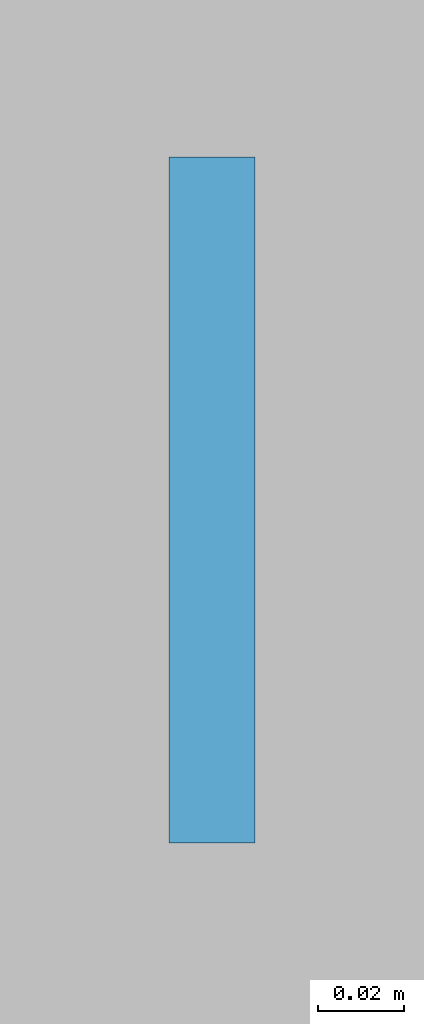
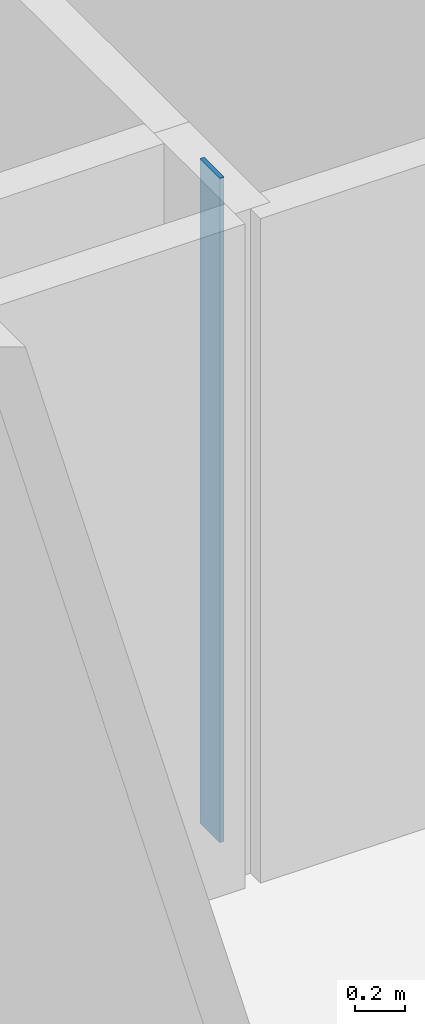
# One storey, part 5 of 12: 1 plate.
"""IFC4 building model written with IfcOpenShell, lengths in metres."""

from ifc_helpers import new_model, si_unit, direction, frame, origin, origin_2d, place, context, subcontext, project, spatial, rectangle, extrude, material, layer, layer_set, type_object, element, save


model = new_model("IFC4")

# Units and contexts
model_context = context("Model", 3, precision=1e-05, world=origin(), true_north=direction((0.0, 1.0)))
body_context = subcontext(model_context, "Body", "Model", "MODEL_VIEW")
ifc_project = project(units=[si_unit("LENGTHUNIT", "METRE"), si_unit("AREAUNIT", "SQUARE_METRE"), si_unit("VOLUMEUNIT", "CUBIC_METRE"), si_unit("PLANEANGLEUNIT", "RADIAN"), si_unit("MASSUNIT", "GRAM", prefix="KILO")], contexts=[model_context])

# Site, building, storey
site_placement = place(None, origin())
site = spatial("IfcSite", under=ifc_project, at=site_placement, CompositionType="ELEMENT")
building_placement = place(site_placement, origin())
building = spatial("IfcBuilding", under=site, at=building_placement, Name="Miruveldt Soraemaru", CompositionType="ELEMENT")
storey_placement = place(building_placement, frame((0.0, 0.0, 103.89990234375)))
storey = spatial("IfcBuildingStorey", under=building, at=storey_placement, Name="L28", CompositionType="ELEMENT", Elevation=103.89990234375)

# Plate
ifc_material = material(Name="Anodised aluminium EN AW-6063 T6", Category="aluminium")
ifc_layer = layer(ifc_material, 0.02001953125, Name="Anodised aluminium EN AW-6063 T6", Category="aluminium")
ifc_layer_set = layer_set([ifc_layer], Name="Anodised aluminium EN AW-6063 T6")
plate_type = type_object("IfcPlateType", Name="PLT-PART-TRIM", PredefinedType="SHEET", material=ifc_layer_set)
plate_placement = place(storey_placement, frame((41.550048828125, 63.75341796875, 0.0), z_axis=(0.0, 0.0, 1.0), x_axis=(0.0, -1.0, 0.0)))
element("IfcPlate", 1, at=plate_placement, inside=storey, type_object=plate_type, Name="L28 Partition Step Corner Trim Plate 016", PredefinedType="SHEET", context=body_context, shape_type="SweptSolid", body=[
    extrude(rectangle(XDim=0.159912109375, YDim=0.02001953125, at=origin_2d()), origin(), (0.0, 0.0, 1.0), 3.235107421875),
])

save(model, "model.ifc")
